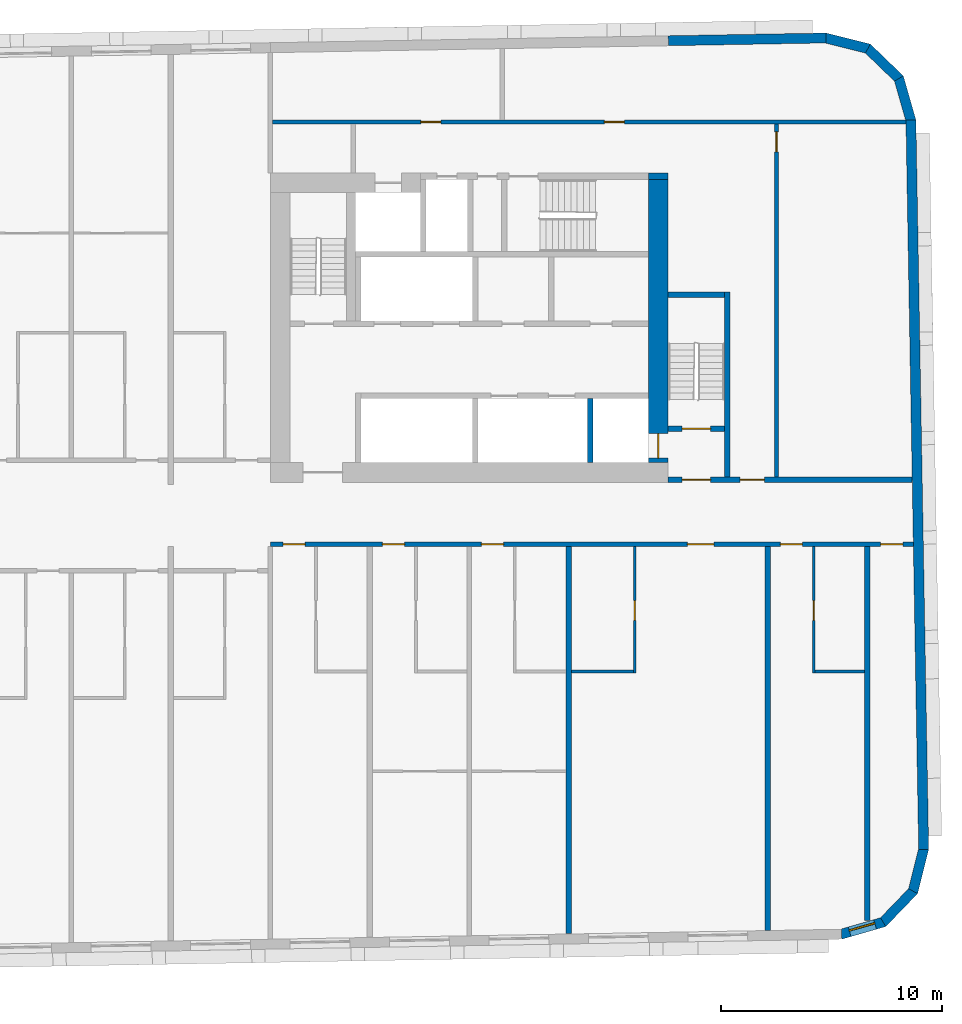
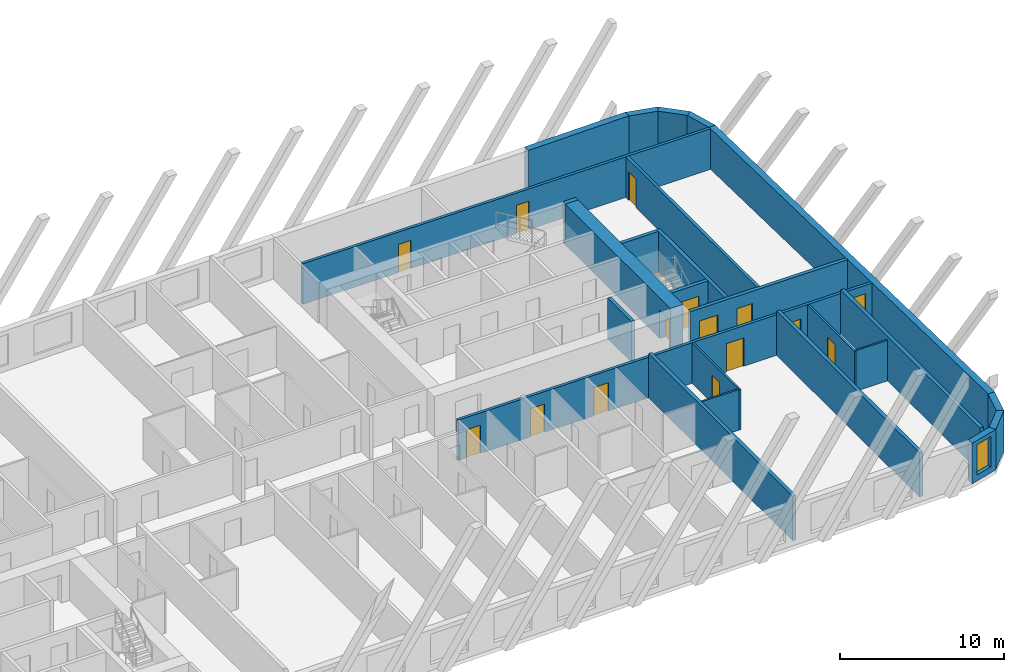
# One storey, part 7 of 12: 25 walls, 15 doors, 1 window, 16 openings.
"""IFC4 building model written with IfcOpenShell, lengths in metres."""

import ifcopenshell
import ifcopenshell.guid

model = None  # the IFC model being written
_history = None  # IfcOwnerHistory: only IFC2X3 demands one
_inside = {}  # id of a spatial element -> (the spatial element, [elements in it])
_under = {}  # id of a project, library or spatial element -> (it, [spatial elements below it])
_declared = {}  # id of a project -> (the project, [libraries it declares])
_typed = {}  # id of a type object -> (the type object, [elements of that type])
_made_of = {}  # id of a material, layer set ... -> (it, [elements and type objects made of it])


def new_model(schema):
    """Start an empty IFC model of exactly this schema.

    Asked for "IFC4X3", IfcOpenShell would pick the latest addendum, in which some entities
    have other attributes; the version numbers below select the first issue.
    IFC2X3 requires an IfcOwnerHistory on every rooted entity: one is made here for all.
    """
    global model, _history
    if schema == "IFC4X3":
        model = ifcopenshell.file(schema_version=(4, 3, 0, 0))
    else:
        model = ifcopenshell.file(schema=schema)
    _inside.clear()
    _under.clear()
    _declared.clear()
    _typed.clear()
    _made_of.clear()
    _history = None
    if model.schema == "IFC2X3":
        org = make("IfcOrganization", Name="unknown")
        user = make(
            "IfcPersonAndOrganization",
            ThePerson=make("IfcPerson", FamilyName="unknown"),
            TheOrganization=org,
        )
        app = make(
            "IfcApplication",
            ApplicationDeveloper=org,
            Version="unknown",
            ApplicationFullName="unknown",
            ApplicationIdentifier="unknown",
        )
        _history = make(
            "IfcOwnerHistory",
            OwningUser=user,
            OwningApplication=app,
            ChangeAction="ADDED",
            CreationDate=0,
        )
    return model


def make(cls, **values):
    """One entity of the class cls with the attributes given. An attribute that is None is left unset."""
    return model.create_entity(
        cls, **{name: value for name, value in values.items() if value is not None}
    )


def rooted(cls, **values):
    """An entity with a GlobalId (a new one), such as an element, a storey or a relation."""
    return make(cls, GlobalId=ifcopenshell.guid.new(), OwnerHistory=_history, **values)


def si_unit(unit_type, name, prefix=None):
    """IfcSIUnit, for example si_unit("LENGTHUNIT", "METRE", prefix="MILLI")."""
    return make("IfcSIUnit", UnitType=unit_type, Prefix=prefix, Name=name)


def assignment(units):
    """IfcUnitAssignment: the units of a project."""
    return None if units is None else make("IfcUnitAssignment", Units=units)


def point(xyz):
    """IfcCartesianPoint."""
    return None if xyz is None else make("IfcCartesianPoint", Coordinates=xyz)


def direction(xyz):
    """IfcDirection."""
    return None if xyz is None else make("IfcDirection", DirectionRatios=xyz)


def frame(location, z_axis=None, x_axis=None):
    """IfcAxis2Placement3D, a coordinate frame: its origin and axes. An axis left out is left unset."""
    return make(
        "IfcAxis2Placement3D",
        Location=point(location),
        Axis=direction(z_axis),
        RefDirection=direction(x_axis),
    )


def frame_2d(location, x_axis=None):
    """IfcAxis2Placement2D, a coordinate frame in the plane: its origin and x axis."""
    return make(
        "IfcAxis2Placement2D", Location=point(location), RefDirection=direction(x_axis)
    )


def origin():
    """The frame at (0, 0, 0) with its axes left unset."""
    return frame((0.0, 0.0, 0.0))


def place(relative_to, where):
    """IfcLocalPlacement: puts the frame where relative to a parent placement (None: the world)."""
    return make(
        "IfcLocalPlacement", PlacementRelTo=relative_to, RelativePlacement=where
    )


def context(
    kind, dimensions, precision=None, world=None, true_north=None, identifier=None
):
    """IfcGeometricRepresentationContext, for example the 3D "Model" context."""
    return make(
        "IfcGeometricRepresentationContext",
        ContextIdentifier=identifier,
        ContextType=kind,
        CoordinateSpaceDimension=dimensions,
        Precision=precision,
        WorldCoordinateSystem=world,
        TrueNorth=true_north,
    )


def subcontext(parent, identifier, kind, view, scale=None):
    """IfcGeometricRepresentationSubContext, for example "Body" below "Model"."""
    return make(
        "IfcGeometricRepresentationSubContext",
        ContextIdentifier=identifier,
        ContextType=kind,
        ParentContext=parent,
        TargetScale=scale,
        TargetView=view,
    )


def project(units=None, contexts=None):
    """IfcProject with its units and contexts."""
    return rooted(
        "IfcProject",
        Name="project",
        RepresentationContexts=contexts,
        UnitsInContext=assignment(units),
    )


def spatial(cls, under=None, at=None, **own):
    """A site, building, storey or space (cls), placed at a placement, below another one or the project."""
    s = rooted(cls, ObjectPlacement=at, **own)
    if under is not None:
        _under.setdefault(under.id(), (under, []))[1].append(s)
    return s


def polyline(points):
    """IfcPolyline through the points."""
    return make("IfcPolyline", Points=[point(p) for p in points])


def profile(cls, at=None, kind="AREA", **sizes):
    """A parametric profile (cls). Its sizes go by their IFC names, for example OverallWidth=200.0."""
    return make(cls, ProfileType=kind, Position=at, **sizes)


def rectangle(**sizes):
    """IfcRectangleProfileDef."""
    return profile("IfcRectangleProfileDef", **sizes)


def outline(outer, holes=None, kind="AREA"):
    """IfcArbitraryClosedProfileDef: a profile drawn as a closed curve; with holes, ...WithVoids."""
    if holes is None:
        return make("IfcArbitraryClosedProfileDef", ProfileType=kind, OuterCurve=outer)
    return make(
        "IfcArbitraryProfileDefWithVoids",
        ProfileType=kind,
        OuterCurve=outer,
        InnerCurves=holes,
    )


def extrude(swept, where, along, depth):
    """IfcExtrudedAreaSolid: the profile swept, set in the frame where, extruded along a direction by depth."""
    return make(
        "IfcExtrudedAreaSolid",
        SweptArea=swept,
        Position=where,
        ExtrudedDirection=direction(along),
        Depth=depth,
    )


def shape(context_of_items, identifier, shape_type, items):
    """IfcShapeRepresentation: the items that make up one representation, for example the "Body"."""
    return make(
        "IfcShapeRepresentation",
        ContextOfItems=context_of_items,
        RepresentationIdentifier=identifier,
        RepresentationType=shape_type,
        Items=items,
    )


def material(Name=None, Category=None):
    """IfcMaterial."""
    return make("IfcMaterial", Name=Name, Category=Category)


def layer(
    of_material, thickness, ventilated=None, Name=None, Category=None, Priority=None
):
    """IfcMaterialLayer: one layer of a wall or slab, of a material (None: an air gap)."""
    return make(
        "IfcMaterialLayer",
        Material=of_material,
        LayerThickness=thickness,
        IsVentilated=ventilated,
        Name=Name,
        Category=Category,
        Priority=Priority,
    )


def layer_set(layers, Name=None):
    """IfcMaterialLayerSet."""
    return make("IfcMaterialLayerSet", MaterialLayers=layers, LayerSetName=Name)


def made_of(thing, what):
    """Note that an element or type object is made of a material, layer set ...; save() writes the relation."""
    if what is not None:
        _made_of.setdefault(what.id(), (what, []))[1].append(thing)
    return thing


def type_object(cls, material=None, **own):
    """A type object (cls), such as IfcWallType, which elements share."""
    return made_of(rooted(cls, **own), material)


def element(
    cls,
    number,
    at=None,
    inside=None,
    cuts=None,
    type_object=None,
    material=None,
    context=None,
    identifier="Body",
    shape_type=None,
    held_by="IfcProductDefinitionShape",
    body=None,
    shapes=None,
    **own,
):
    """One element of the class cls, such as IfcWall. Its Tag is "e" and its number.

    at: its placement. inside: the storey or other place that contains it. cuts: it is an
    opening in that element (IfcRelVoidsElement). A single representation is given by context,
    identifier, shape_type and body (its items); several are given by shapes. held_by: the class
    of the entity that holds the representations. save() writes the other relations.
    """
    e = rooted(cls, Tag="e%d" % number, ObjectPlacement=at, **own)
    if body is not None:
        shapes = [shape(context, identifier, shape_type, body)]
    if shapes is not None:
        e.Representation = make(held_by, Representations=shapes)
    if inside is not None:
        _inside.setdefault(inside.id(), (inside, []))[1].append(e)
    if cuts is not None:
        rooted(
            "IfcRelVoidsElement", RelatingBuildingElement=cuts, RelatedOpeningElement=e
        )
    if type_object is not None:
        _typed.setdefault(type_object.id(), (type_object, []))[1].append(e)
    return made_of(e, material)


def fill(opening, filler):
    """IfcRelFillsElement: the door or window that sits in an opening."""
    return rooted(
        "IfcRelFillsElement",
        RelatingOpeningElement=opening,
        RelatedBuildingElement=filler,
    )


def aggregate(whole, parts):
    """IfcRelAggregates: a whole, such as a stair, and the parts it consists of."""
    return rooted("IfcRelAggregates", RelatingObject=whole, RelatedObjects=parts)


def save(model, path):
    """Write the relations noted so far, then the file.

    IfcRelAggregates (storeys below a building ...), IfcRelContainedInSpatialStructure (elements
    in a storey), IfcRelDefinesByType, IfcRelAssociatesMaterial and IfcRelDeclares: one each for
    every whole, place, type object, material and project.
    """
    for whole, parts in _under.values():
        aggregate(whole, parts)
    for where, things in _inside.values():
        rooted(
            "IfcRelContainedInSpatialStructure",
            RelatedElements=things,
            RelatingStructure=where,
        )
    for kind, things in _typed.values():
        rooted("IfcRelDefinesByType", RelatedObjects=things, RelatingType=kind)
    for what, things in _made_of.values():
        rooted("IfcRelAssociatesMaterial", RelatedObjects=things, RelatingMaterial=what)
    for by, libraries in _declared.values():
        rooted("IfcRelDeclares", RelatingContext=by, RelatedDefinitions=libraries)
    model.write(path)


model = new_model("IFC4")

# Units and contexts
model_context = context("Model", 3, precision=1e-05, world=origin(), true_north=direction((0.0, 1.0)))
body_context = subcontext(model_context, "Body", "Model", "MODEL_VIEW")
ifc_project = project(units=[si_unit("LENGTHUNIT", "METRE"), si_unit("AREAUNIT", "SQUARE_METRE"), si_unit("VOLUMEUNIT", "CUBIC_METRE"), si_unit("PLANEANGLEUNIT", "RADIAN"), si_unit("MASSUNIT", "GRAM", prefix="KILO")], contexts=[model_context])

# Site, building, storey
site_placement = place(None, origin())
site = spatial("IfcSite", under=ifc_project, at=site_placement, CompositionType="ELEMENT")
building_placement = place(site_placement, origin())
building = spatial("IfcBuilding", under=site, at=building_placement, Name="Kajstack Hotel Tower", CompositionType="ELEMENT")
storey_placement = place(building_placement, frame((0.0, 0.0, 227.60009765625)))
storey = spatial("IfcBuildingStorey", under=building, at=storey_placement, Name="L55", CompositionType="ELEMENT", Elevation=227.60009765625)

# Wall
ifc_material_1 = material(Name="Concrete C60/75", Category="concrete")
ifc_layer_1 = layer(ifc_material_1, 0.89990234375)
ifc_layer_set_1 = layer_set([ifc_layer_1], Name="Core wall 900")
wall_type_1 = type_object("IfcWallType", Name="Core wall 900", PredefinedType="SHEAR", material=ifc_layer_set_1)
wall_1_placement = place(storey_placement, frame((30.60009765625, 15.35009765625, 0.0), z_axis=(0.0, 0.0, 1.0), x_axis=(1.0, 0.0, 0.0)))
element("IfcWall", 1, at=wall_1_placement, inside=storey, type_object=wall_type_1, Name="Core wall E RSW", PredefinedType="SHEAR", context=body_context, shape_type="SweptSolid", body=[
    extrude(rectangle(XDim=0.89990234375, YDim=0.300048828125, at=frame_2d((0.449951171875, 0.0))), origin(), (0.0, 0.0, 1.0), 3.02001953125),
])

# Wall, opening, door
wall_2_placement = place(storey_placement, frame((31.050048828125, 2.39990234375, 0.0), z_axis=(0.0, 0.0, 1.0), x_axis=(0.0, 1.0, 0.0)))
wall_2 = element("IfcWall", 2, at=wall_2_placement, inside=storey, type_object=wall_type_1, Name="Core wall E RW", PredefinedType="SHEAR", context=body_context, shape_type="SweptSolid", body=[
    extrude(rectangle(XDim=12.800048828125, YDim=0.89990234375, at=frame_2d((6.39990234375, 0.0))), origin(), (0.0, 0.0, 1.0), 3.02001953125),
])
opening_1_placement = place(wall_2_placement, frame((0.199951171875, 0.0, 0.0)))
opening_1 = element("IfcOpeningElement", 3, at=opening_1_placement, cuts=wall_2, Name="Opening LD-FF2", PredefinedType="OPENING", context=body_context, shape_type="SweptSolid", body=[
    extrude(rectangle(XDim=1.10009765625, YDim=2.10009765625, at=frame_2d((0.550048828125, 1.050048828125))), frame((0.0, 0.4599609375, 0.0), z_axis=(0.0, -1.0, 0.0), x_axis=(1.0, 0.0, 0.0)), (0.0, 0.0, 1.0), 0.919921875),
])
ifc_material_2 = material(Name="Stainless steel", Category="steel")
door_type_1 = type_object("IfcDoorType", Name="Fire-fighting lift landing door 1100", OperationType="SLIDING_TO_LEFT", PredefinedType="DOOR", material=ifc_material_2)
door_1_placement = place(opening_1_placement, origin())
door_1 = element("IfcDoor", 4, at=door_1_placement, inside=storey, type_object=door_type_1, Name="Landing door FF2", OperationType="SLIDING_TO_LEFT", OverallHeight=2.10009765625, OverallWidth=1.10009765625, PredefinedType="DOOR", context=body_context, shape_type="SweptSolid", body=[
    extrude(rectangle(XDim=1.10009765625, YDim=2.10009765625, at=frame_2d((0.550048828125, 1.050048828125))), frame((0.0, 0.02490234375, 0.0), z_axis=(0.0, -1.0, 0.0), x_axis=(1.0, 0.0, 0.0)), (0.0, 0.0, 1.0), 0.050048828125),
])
fill(opening_1, door_1)

# Wall, openings, doors
ifc_material_3 = material(Name="Gypsum board on steel studs, mineral wool", Category="steel")
ifc_layer_2 = layer(ifc_material_3, 0.199951171875)
ifc_layer_set_2 = layer_set([ifc_layer_2], Name="Corridor wall 200")
wall_type_2 = type_object("IfcWallType", Name="Corridor wall 200", PredefinedType="PARTITIONING", material=ifc_layer_set_2)
wall_3_placement = place(storey_placement, frame((13.5, -1.300048828125, 0.0), z_axis=(0.0, 0.0, 1.0), x_axis=(1.0, 0.0, 0.0)))
wall_3 = element("IfcWall", 5, at=wall_3_placement, inside=storey, type_object=wall_type_2, Name="G-wall-L55-026", PredefinedType="PARTITIONING", context=body_context, shape_type="SweptSolid", body=[
    extrude(rectangle(XDim=29.091064453125, YDim=0.199951171875, at=frame_2d((14.54541015625, 0.0))), origin(), (0.0, 0.0, 1.0), 3.02001953125),
])
opening_2_placement = place(wall_3_placement, frame((0.574951171875, 0.0, 0.0)))
opening_2 = element("IfcOpeningElement", 6, at=opening_2_placement, cuts=wall_3, Name="Opening 55029", PredefinedType="OPENING", context=body_context, shape_type="SweptSolid", body=[
    extrude(rectangle(XDim=1.0, YDim=2.10009765625, at=frame_2d((0.5, 1.050048828125))), frame((0.0, 0.10986328125, 0.0), z_axis=(0.0, -1.0, 0.0), x_axis=(1.0, 0.0, 0.0)), (0.0, 0.0, 1.0), 0.219970703125),
])
opening_3_placement = place(wall_3_placement, frame((5.074951171875, 0.0, 0.0)))
opening_3 = element("IfcOpeningElement", 7, at=opening_3_placement, cuts=wall_3, Name="Opening 55031", PredefinedType="OPENING", context=body_context, shape_type="SweptSolid", body=[
    extrude(rectangle(XDim=1.0, YDim=2.10009765625, at=frame_2d((0.5, 1.050048828125))), frame((0.0, 0.10986328125, 0.0), z_axis=(0.0, -1.0, 0.0), x_axis=(1.0, 0.0, 0.0)), (0.0, 0.0, 1.0), 0.219970703125),
])
opening_4_placement = place(wall_3_placement, frame((9.550048828125, 0.0, 0.0)))
opening_4 = element("IfcOpeningElement", 8, at=opening_4_placement, cuts=wall_3, Name="Opening 55034", PredefinedType="OPENING", context=body_context, shape_type="SweptSolid", body=[
    extrude(rectangle(XDim=1.0, YDim=2.10009765625, at=frame_2d((0.5, 1.050048828125))), frame((0.0, 0.10986328125, 0.0), z_axis=(0.0, -1.0, 0.0), x_axis=(1.0, 0.0, 0.0)), (0.0, 0.0, 1.0), 0.219970703125),
])
opening_5_placement = place(wall_3_placement, frame((18.862060546875, 0.0, 0.0)))
opening_5 = element("IfcOpeningElement", 9, at=opening_5_placement, cuts=wall_3, Name="Opening 55037", PredefinedType="OPENING", context=body_context, shape_type="SweptSolid", body=[
    extrude(rectangle(XDim=1.199951171875, YDim=2.10009765625, at=frame_2d((0.60009765625, 1.050048828125))), frame((0.0, 0.10986328125, 0.0), z_axis=(0.0, -1.0, 0.0), x_axis=(1.0, 0.0, 0.0)), (0.0, 0.0, 1.0), 0.219970703125),
])
opening_6_placement = place(wall_3_placement, frame((23.074951171875, 0.0, 0.0)))
opening_6 = element("IfcOpeningElement", 10, at=opening_6_placement, cuts=wall_3, Name="Opening 55039", PredefinedType="OPENING", context=body_context, shape_type="SweptSolid", body=[
    extrude(rectangle(XDim=1.0, YDim=2.10009765625, at=frame_2d((0.5, 1.050048828125))), frame((0.0, 0.10986328125, 0.0), z_axis=(0.0, -1.0, 0.0), x_axis=(1.0, 0.0, 0.0)), (0.0, 0.0, 1.0), 0.219970703125),
])
opening_7_placement = place(wall_3_placement, frame((27.611083984375, 0.0, 0.0)))
opening_7 = element("IfcOpeningElement", 11, at=opening_7_placement, cuts=wall_3, Name="Opening 55041", PredefinedType="OPENING", context=body_context, shape_type="SweptSolid", body=[
    extrude(rectangle(XDim=1.0, YDim=2.39990234375, at=frame_2d((0.5, 1.199951171875))), frame((0.0, 0.10986328125, 0.0), z_axis=(0.0, -1.0, 0.0), x_axis=(1.0, 0.0, 0.0)), (0.0, 0.0, 1.0), 0.219970703125),
])
ifc_material_4 = material(Name="Oak veneer on timber core, fire-rated leaf", Category="wood")
door_type_2 = type_object("IfcDoorType", Name="Flat entrance door 1000", OperationType="SINGLE_SWING_LEFT", PredefinedType="DOOR", material=ifc_material_4)
door_2_placement = place(opening_2_placement, origin())
door_2 = element("IfcDoor", 12, at=door_2_placement, inside=storey, type_object=door_type_2, Name="G-door-L55-29", OperationType="SINGLE_SWING_LEFT", OverallHeight=2.10009765625, OverallWidth=1.0, PredefinedType="DOOR", context=body_context, shape_type="SweptSolid", body=[
    extrude(rectangle(XDim=1.0, YDim=2.10009765625, at=frame_2d((0.5, 1.050048828125))), frame((0.0, 0.02490234375, 0.0), z_axis=(0.0, -1.0, 0.0), x_axis=(1.0, 0.0, 0.0)), (0.0, 0.0, 1.0), 0.050048828125),
])
fill(opening_2, door_2)
door_3_placement = place(opening_3_placement, origin())
door_3 = element("IfcDoor", 13, at=door_3_placement, inside=storey, type_object=door_type_2, Name="G-door-L55-31", OperationType="SINGLE_SWING_RIGHT", OverallHeight=2.10009765625, OverallWidth=1.0, PredefinedType="DOOR", context=body_context, shape_type="SweptSolid", body=[
    extrude(rectangle(XDim=1.0, YDim=2.10009765625, at=frame_2d((0.5, 1.050048828125))), frame((0.0, 0.02490234375, 0.0), z_axis=(0.0, -1.0, 0.0), x_axis=(1.0, 0.0, 0.0)), (0.0, 0.0, 1.0), 0.050048828125),
])
fill(opening_3, door_3)
door_4_placement = place(opening_4_placement, origin())
door_4 = element("IfcDoor", 14, at=door_4_placement, inside=storey, type_object=door_type_2, Name="G-door-L55-34", OperationType="SINGLE_SWING_RIGHT", OverallHeight=2.10009765625, OverallWidth=1.0, PredefinedType="DOOR", context=body_context, shape_type="SweptSolid", body=[
    extrude(rectangle(XDim=1.0, YDim=2.10009765625, at=frame_2d((0.5, 1.050048828125))), frame((0.0, 0.02490234375, 0.0), z_axis=(0.0, -1.0, 0.0), x_axis=(1.0, 0.0, 0.0)), (0.0, 0.0, 1.0), 0.050048828125),
])
fill(opening_4, door_4)
door_5_placement = place(opening_6_placement, origin())
door_5 = element("IfcDoor", 15, at=door_5_placement, inside=storey, type_object=door_type_2, Name="G-door-L55-39", OperationType="SINGLE_SWING_LEFT", OverallHeight=2.10009765625, OverallWidth=1.0, PredefinedType="DOOR", context=body_context, shape_type="SweptSolid", body=[
    extrude(rectangle(XDim=1.0, YDim=2.10009765625, at=frame_2d((0.5, 1.050048828125))), frame((0.0, 0.02490234375, 0.0), z_axis=(0.0, -1.0, 0.0), x_axis=(1.0, 0.0, 0.0)), (0.0, 0.0, 1.0), 0.050048828125),
])
fill(opening_6, door_5)
door_type_3 = type_object("IfcDoorType", Name="Flat entrance door 1200", OperationType="SINGLE_SWING_LEFT", PredefinedType="DOOR", material=ifc_material_4)
door_6_placement = place(opening_5_placement, origin())
door_6 = element("IfcDoor", 16, at=door_6_placement, inside=storey, type_object=door_type_3, Name="G-door-L55-37", OperationType="SINGLE_SWING_LEFT", OverallHeight=2.10009765625, OverallWidth=1.199951171875, PredefinedType="DOOR", context=body_context, shape_type="SweptSolid", body=[
    extrude(rectangle(XDim=1.199951171875, YDim=2.10009765625, at=frame_2d((0.60009765625, 1.050048828125))), frame((0.0, 0.02490234375, 0.0), z_axis=(0.0, -1.0, 0.0), x_axis=(1.0, 0.0, 0.0)), (0.0, 0.0, 1.0), 0.050048828125),
])
fill(opening_5, door_6)
ifc_material_5 = material(Name="Steel-faced door leaf, fire-rated", Category="steel")
door_type_4 = type_object("IfcDoorType", Name="Store door 1000", OperationType="SINGLE_SWING_LEFT", PredefinedType="DOOR", material=ifc_material_5)
door_7_placement = place(opening_7_placement, origin())
door_7 = element("IfcDoor", 17, at=door_7_placement, inside=storey, type_object=door_type_4, Name="G-door-L55-41", OperationType="SINGLE_SWING_LEFT", OverallHeight=2.39990234375, OverallWidth=1.0, PredefinedType="DOOR", context=body_context, shape_type="SweptSolid", body=[
    extrude(rectangle(XDim=1.0, YDim=2.39990234375, at=frame_2d((0.5, 1.199951171875))), frame((0.0, 0.02490234375, 0.0), z_axis=(0.0, -1.0, 0.0), x_axis=(1.0, 0.0, 0.0)), (0.0, 0.0, 1.0), 0.050048828125),
])
fill(opening_7, door_7)

# Wall, opening, window
ifc_material_6 = material(Name="Terracotta-faced brick masonry", Category="masonry")
ifc_layer_3 = layer(ifc_material_6, 0.449951171875)
ifc_layer_set_3 = layer_set([ifc_layer_3], Name="EW-TERRA")
wall_type_3 = type_object("IfcWallType", Name="EW-TERRA", PredefinedType="SOLIDWALL", material=ifc_layer_set_3)
wall_4_placement = place(storey_placement, frame((39.290283203125, -18.952392578125, 0.0), z_axis=(0.0, 0.0, 1.0), x_axis=(0.961247584925, 0.275686562016, 0.0)))
wall_4 = element("IfcWall", 18, at=wall_4_placement, inside=storey, type_object=wall_type_3, Name="E-wall-L55-05-00", PredefinedType="SOLIDWALL", context=body_context, shape_type="SweptSolid", body=[
    extrude(outline(polyline([(0.0, -0.224853515625), (2.070556640625, -0.22509765625), (1.949951171875, 0.224853515625), (0.12060546875, 0.22509765625), (0.0, -0.224853515625)])), origin(), (0.0, 0.0, 1.0), 3.02001953125),
])
opening_8_placement = place(wall_4_placement, frame((0.435302734375, 0.0, 0.449951171875)))
opening_8 = element("IfcOpeningElement", 19, at=opening_8_placement, cuts=wall_4, Name="Opening W3", PredefinedType="OPENING", context=body_context, shape_type="SweptSolid", body=[
    extrude(rectangle(XDim=1.199951171875, YDim=2.25, at=frame_2d((0.60009765625, 1.125))), frame((0.0, 0.23486328125, 0.0), z_axis=(0.0, -1.0, 0.0), x_axis=(1.0, 0.0, 0.0)), (0.0, 0.0, 1.0), 0.469970703125),
])
ifc_material_7 = material(Name="Timber-aluminium window, triple glazed", Category="wood")
window_type = type_object("IfcWindowType", Name="WG3", PartitioningType="SINGLE_PANEL", PredefinedType="WINDOW", material=ifc_material_7)
window_placement = place(opening_8_placement, origin())
window = element("IfcWindow", 20, at=window_placement, inside=storey, type_object=window_type, Name="Window W3 L55-05", OverallHeight=2.25, OverallWidth=1.199951171875, PartitioningType="SINGLE_PANEL", PredefinedType="WINDOW", context=body_context, shape_type="SweptSolid", body=[
    extrude(rectangle(XDim=1.199951171875, YDim=2.25, at=frame_2d((0.60009765625, 1.125))), frame((0.0, 0.090087890625, 0.0), z_axis=(0.0, -1.0, 0.0), x_axis=(1.0, 0.0, 0.0)), (0.0, 0.0, 1.0), 0.06005859375),
])
fill(opening_8, window)

# Walls
wall_5_placement = place(storey_placement, frame((41.1806640625, -18.441650390625, 0.0), z_axis=(0.0, 0.0, 1.0), x_axis=(0.694678672846, 0.719320193998, 0.0)))
element("IfcWall", 21, at=wall_5_placement, inside=storey, type_object=wall_type_3, Name="E-wall-L55-06-00", PredefinedType="SOLIDWALL", context=body_context, shape_type="SweptSolid", body=[
    extrude(outline(polyline([(0.0, -0.22509765625), (2.07080078125, -0.224853515625), (1.9501953125, 0.22509765625), (0.12060546875, 0.22509765625), (0.0, -0.22509765625)])), origin(), (0.0, 0.0, 1.0), 3.02001953125),
])
wall_6_placement = place(storey_placement, frame((42.562744140625, -17.053955078125, 0.0), z_axis=(0.0, 0.0, 1.0), x_axis=(0.241841950319, 0.970315655375, 0.0)))
element("IfcWall", 22, at=wall_6_placement, inside=storey, type_object=wall_type_3, Name="E-wall-L55-07-00", PredefinedType="SOLIDWALL", context=body_context, shape_type="SweptSolid", body=[
    extrude(outline(polyline([(0.0, -0.224853515625), (2.070556640625, -0.22509765625), (1.949951171875, 0.224853515625), (0.12060546875, 0.22509765625), (0.0, -0.224853515625)])), origin(), (0.0, 0.0, 1.0), 3.02001953125),
])
wall_7_placement = place(storey_placement, frame((43.056884765625, -15.103271484375, 0.0), z_axis=(0.0, 0.0, 1.0), x_axis=(-0.017452408953, 0.999847695112, 0.0)))
element("IfcWall", 23, at=wall_7_placement, inside=storey, type_object=wall_type_3, Name="E-wall-L55-08-00", PredefinedType="SOLIDWALL", context=body_context, shape_type="SweptSolid", body=[
    extrude(rectangle(XDim=33.0, YDim=0.449951171875, at=frame_2d((16.5, 0.0))), origin(), (0.0, 0.0, 1.0), 3.02001953125),
])
wall_8_placement = place(storey_placement, frame((42.489501953125, 17.83349609375, 0.0), z_axis=(0.0, 0.0, 1.0), x_axis=(-0.275546368831, 0.961287781377, 0.0)))
element("IfcWall", 24, at=wall_8_placement, inside=storey, type_object=wall_type_3, Name="E-wall-L55-09-00", PredefinedType="SOLIDWALL", context=body_context, shape_type="SweptSolid", body=[
    extrude(outline(polyline([(0.0, -0.22509765625), (2.070556640625, -0.224853515625), (1.949951171875, 0.22509765625), (0.12060546875, 0.224853515625), (0.0, -0.22509765625)])), origin(), (0.0, 0.0, 1.0), 3.02001953125),
])
wall_9_placement = place(storey_placement, frame((41.97900390625, 19.72412109375, 0.0), z_axis=(0.0, 0.0, 1.0), x_axis=(-0.719379111448, 0.694617660308, 0.0)))
element("IfcWall", 25, at=wall_9_placement, inside=storey, type_object=wall_type_3, Name="E-wall-L55-10-00", PredefinedType="SOLIDWALL", context=body_context, shape_type="SweptSolid", body=[
    extrude(outline(polyline([(0.0, -0.224853515625), (2.070556640625, -0.22509765625), (1.949951171875, 0.224853515625), (0.12060546875, 0.22509765625), (0.0, -0.224853515625)])), origin(), (0.0, 0.0, 1.0), 3.02001953125),
])
wall_10_placement = place(storey_placement, frame((40.59130859375, 21.10595703125, 0.0), z_axis=(0.0, 0.0, 1.0), x_axis=(-0.970287979719, 0.241952963225, 0.0)))
element("IfcWall", 26, at=wall_10_placement, inside=storey, type_object=wall_type_3, Name="E-wall-L55-11-00", PredefinedType="SOLIDWALL", context=body_context, shape_type="SweptSolid", body=[
    extrude(outline(polyline([(0.0, -0.22509765625), (2.070556640625, -0.224853515625), (1.949951171875, 0.22509765625), (0.12060546875, 0.224853515625), (0.0, -0.22509765625)])), origin(), (0.0, 0.0, 1.0), 3.02001953125),
])
wall_11_placement = place(storey_placement, frame((38.640625, 21.600341796875, 0.0), z_axis=(0.0, 0.0, 1.0), x_axis=(-0.999847245074, -0.017478172627, 0.0)))
element("IfcWall", 27, at=wall_11_placement, inside=storey, type_object=wall_type_3, Name="E-wall-L55-12-00", PredefinedType="SOLIDWALL", context=body_context, shape_type="SweptSolid", body=[
    extrude(rectangle(XDim=7.1376953125, YDim=0.449951171875, at=frame_2d((3.56884765625, 0.0))), origin(), (0.0, 0.0, 1.0), 3.02001953125),
])

# Wall, opening, door
ifc_material_8 = material(Name="Gypsum board and tiled backer on steel studs", Category="steel")
ifc_layer_4 = layer(ifc_material_8, 0.125)
ifc_layer_set_4 = layer_set([ifc_layer_4], Name="En-suite wall 125")
wall_type_4 = type_object("IfcWallType", Name="En-suite wall 125", PredefinedType="PARTITIONING", material=ifc_layer_set_4)
wall_12_placement = place(storey_placement, frame((29.988037109375, -7.125, 0.0), z_axis=(0.0, 0.0, 1.0), x_axis=(0.0, 1.0, 0.0)))
wall_12 = element("IfcWall", 28, at=wall_12_placement, inside=storey, type_object=wall_type_4, Name="G-wall-L55-048", PredefinedType="PARTITIONING", context=body_context, shape_type="SweptSolid", body=[
    extrude(rectangle(XDim=5.72509765625, YDim=0.125, at=frame_2d((2.862548828125, 0.0))), origin(), (0.0, 0.0, 1.0), 3.02001953125),
])
opening_9_placement = place(wall_12_placement, frame((2.375, 0.0, 0.0)))
opening_9 = element("IfcOpeningElement", 29, at=opening_9_placement, cuts=wall_12, Name="Opening 55038", PredefinedType="OPENING", context=body_context, shape_type="SweptSolid", body=[
    extrude(rectangle(XDim=0.89990234375, YDim=2.10009765625, at=frame_2d((0.449951171875, 1.050048828125))), frame((0.0, 0.072509765625, 0.0), z_axis=(0.0, -1.0, 0.0), x_axis=(1.0, 0.0, 0.0)), (0.0, 0.0, 1.0), 0.14501953125),
])
ifc_material_9 = material(Name="Painted timber door leaf", Category="wood")
door_type_5 = type_object("IfcDoorType", Name="Room door 900", OperationType="SINGLE_SWING_LEFT", PredefinedType="DOOR", material=ifc_material_9)
door_8_placement = place(opening_9_placement, origin())
door_8 = element("IfcDoor", 30, at=door_8_placement, inside=storey, type_object=door_type_5, Name="G-door-L55-38", OperationType="SINGLE_SWING_LEFT", OverallHeight=2.10009765625, OverallWidth=0.89990234375, PredefinedType="DOOR", context=body_context, shape_type="SweptSolid", body=[
    extrude(rectangle(XDim=0.89990234375, YDim=2.10009765625, at=frame_2d((0.449951171875, 1.050048828125))), frame((0.0, 0.02490234375, 0.0), z_axis=(0.0, -1.0, 0.0), x_axis=(1.0, 0.0, 0.0)), (0.0, 0.0, 1.0), 0.050048828125),
])
fill(opening_9, door_8)

# Wall
wall_13_placement = place(storey_placement, frame((27.125, -7.06201171875, 0.0), z_axis=(0.0, 0.0, 1.0), x_axis=(1.0, 0.0, 0.0)))
element("IfcWall", 31, at=wall_13_placement, inside=storey, type_object=wall_type_4, Name="G-wall-L55-049", PredefinedType="PARTITIONING", context=body_context, shape_type="SweptSolid", body=[
    extrude(rectangle(XDim=2.800048828125, YDim=0.125, at=frame_2d((1.39990234375, 0.0))), origin(), (0.0, 0.0, 1.0), 3.02001953125),
])

# Wall, opening, door
wall_14_placement = place(storey_placement, frame((38.0869140625, -7.125, 0.0), z_axis=(0.0, 0.0, 1.0), x_axis=(0.0, 1.0, 0.0)))
wall_14 = element("IfcWall", 32, at=wall_14_placement, inside=storey, type_object=wall_type_4, Name="G-wall-L55-050", PredefinedType="PARTITIONING", context=body_context, shape_type="SweptSolid", body=[
    extrude(rectangle(XDim=5.72509765625, YDim=0.125, at=frame_2d((2.862548828125, 0.0))), origin(), (0.0, 0.0, 1.0), 3.02001953125),
])
opening_10_placement = place(wall_14_placement, frame((2.375, 0.0, 0.0)))
opening_10 = element("IfcOpeningElement", 33, at=opening_10_placement, cuts=wall_14, Name="Opening 55040", PredefinedType="OPENING", context=body_context, shape_type="SweptSolid", body=[
    extrude(rectangle(XDim=0.89990234375, YDim=2.10009765625, at=frame_2d((0.449951171875, 1.050048828125))), frame((0.0, 0.072509765625, 0.0), z_axis=(0.0, -1.0, 0.0), x_axis=(1.0, 0.0, 0.0)), (0.0, 0.0, 1.0), 0.14501953125),
])
door_9_placement = place(opening_10_placement, origin())
door_9 = element("IfcDoor", 34, at=door_9_placement, inside=storey, type_object=door_type_5, Name="G-door-L55-40", OperationType="SINGLE_SWING_LEFT", OverallHeight=2.10009765625, OverallWidth=0.89990234375, PredefinedType="DOOR", context=body_context, shape_type="SweptSolid", body=[
    extrude(rectangle(XDim=0.89990234375, YDim=2.10009765625, at=frame_2d((0.449951171875, 1.050048828125))), frame((0.0, 0.02490234375, 0.0), z_axis=(0.0, -1.0, 0.0), x_axis=(1.0, 0.0, 0.0)), (0.0, 0.0, 1.0), 0.050048828125),
])
fill(opening_10, door_9)

# Walls
wall_15_placement = place(storey_placement, frame((38.14990234375, -7.06201171875, 0.0), z_axis=(0.0, 0.0, 1.0), x_axis=(1.0, 0.0, 0.0)))
element("IfcWall", 35, at=wall_15_placement, inside=storey, type_object=wall_type_4, Name="G-wall-L55-051", PredefinedType="PARTITIONING", context=body_context, shape_type="SweptSolid", body=[
    extrude(rectangle(XDim=2.22509765625, YDim=0.125, at=frame_2d((1.112548828125, 0.0))), origin(), (0.0, 0.0, 1.0), 3.02001953125),
])
ifc_material_10 = material(Name="Concrete C45/55", Category="concrete")
ifc_layer_5 = layer(ifc_material_10, 0.25)
ifc_layer_set_5 = layer_set([ifc_layer_5], Name="RC cross wall 250 C45/55")
wall_type_5 = type_object("IfcWallType", Name="RC cross wall 250 C45/55", PredefinedType="SHEAR", material=ifc_layer_set_5)
wall_16_placement = place(storey_placement, frame((27.0, -18.922119140625, 0.0), z_axis=(0.0, 0.0, 1.0), x_axis=(0.0, 1.0, 0.0)))
element("IfcWall", 36, at=wall_16_placement, inside=storey, type_object=wall_type_5, Name="S-wall-L55-11", PredefinedType="SHEAR", context=body_context, shape_type="SweptSolid", body=[
    extrude(rectangle(XDim=17.522216796875, YDim=0.25, at=frame_2d((8.76123046875, 0.0))), origin(), (0.0, 0.0, 1.0), 3.2998046875),
])
wall_17_placement = place(storey_placement, frame((36.0, -18.764892578125, 0.0), z_axis=(0.0, 0.0, 1.0), x_axis=(0.0, 1.0, 0.0)))
element("IfcWall", 37, at=wall_17_placement, inside=storey, type_object=wall_type_5, Name="S-wall-L55-12", PredefinedType="SHEAR", context=body_context, shape_type="SweptSolid", body=[
    extrude(rectangle(XDim=17.364990234375, YDim=0.25, at=frame_2d((8.6826171875, 0.0))), origin(), (0.0, 0.0, 1.0), 3.2998046875),
])
wall_18_placement = place(storey_placement, frame((40.5, -18.3251953125, 0.0), z_axis=(0.0, 0.0, 1.0), x_axis=(0.0, 1.0, 0.0)))
element("IfcWall", 38, at=wall_18_placement, inside=storey, type_object=wall_type_5, Name="S-wall-L55-13", PredefinedType="SHEAR", context=body_context, shape_type="SweptSolid", body=[
    extrude(rectangle(XDim=16.92529296875, YDim=0.25, at=frame_2d((8.462646484375, 0.0))), origin(), (0.0, 0.0, 1.0), 3.2998046875),
])

# Wall, openings, doors
ifc_layer_6 = layer(ifc_material_3, 0.199951171875)
ifc_layer_set_6 = layer_set([ifc_layer_6], Name="Service partition 200")
wall_type_6 = type_object("IfcWallType", Name="Service partition 200", PredefinedType="PARTITIONING", material=ifc_layer_set_6)
wall_19_placement = place(storey_placement, frame((31.5, 1.625, 0.0), z_axis=(0.0, 0.0, 1.0), x_axis=(1.0, 0.0, 0.0)))
wall_19 = element("IfcWall", 39, at=wall_19_placement, inside=storey, type_object=wall_type_6, Name="Partition E SN", PredefinedType="PARTITIONING", context=body_context, shape_type="SweptSolid", body=[
    extrude(rectangle(XDim=11.039794921875, YDim=0.25, at=frame_2d((5.52001953125, 0.0))), origin(), (0.0, 0.0, 1.0), 3.02001953125),
])
opening_11_placement = place(wall_19_placement, frame((0.625, 0.0, 0.0)))
opening_11 = element("IfcOpeningElement", 40, at=opening_11_placement, cuts=wall_19, Name="Opening 55E08", PredefinedType="OPENING", context=body_context, shape_type="SweptSolid", body=[
    extrude(rectangle(XDim=1.300048828125, YDim=2.10009765625, at=frame_2d((0.64990234375, 1.050048828125))), frame((0.0, 0.135009765625, 0.0), z_axis=(0.0, -1.0, 0.0), x_axis=(1.0, 0.0, 0.0)), (0.0, 0.0, 1.0), 0.27001953125),
])
opening_12_placement = place(wall_19_placement, frame((3.25, 0.0, 0.0)))
opening_12 = element("IfcOpeningElement", 41, at=opening_12_placement, cuts=wall_19, Name="Opening 55E10", PredefinedType="OPENING", context=body_context, shape_type="SweptSolid", body=[
    extrude(rectangle(XDim=1.10009765625, YDim=2.10009765625, at=frame_2d((0.550048828125, 1.050048828125))), frame((0.0, 0.135009765625, 0.0), z_axis=(0.0, -1.0, 0.0), x_axis=(1.0, 0.0, 0.0)), (0.0, 0.0, 1.0), 0.27001953125),
])
ifc_material_11 = material(Name="Steel leaf, fire-rated", Category="steel")
door_type_6 = type_object("IfcDoorType", Name="Fire lobby door 1300", OperationType="SINGLE_SWING_LEFT", PredefinedType="DOOR", material=ifc_material_11)
door_10_placement = place(opening_11_placement, origin())
door_10 = element("IfcDoor", 42, at=door_10_placement, inside=storey, type_object=door_type_6, Name="Door 55E08", OperationType="SINGLE_SWING_LEFT", OverallHeight=2.10009765625, OverallWidth=1.300048828125, PredefinedType="DOOR", context=body_context, shape_type="SweptSolid", body=[
    extrude(rectangle(XDim=1.300048828125, YDim=2.10009765625, at=frame_2d((0.64990234375, 1.050048828125))), frame((0.0, 0.02490234375, 0.0), z_axis=(0.0, -1.0, 0.0), x_axis=(1.0, 0.0, 0.0)), (0.0, 0.0, 1.0), 0.050048828125),
])
fill(opening_11, door_10)
ifc_material_12 = material(Name="Timber leaf, fire-rated", Category="wood")
door_type_7 = type_object("IfcDoorType", Name="Service corridor door 1100", OperationType="SINGLE_SWING_LEFT", PredefinedType="DOOR", material=ifc_material_12)
door_11_placement = place(opening_12_placement, origin())
door_11 = element("IfcDoor", 43, at=door_11_placement, inside=storey, type_object=door_type_7, Name="Door 55E10", OperationType="SINGLE_SWING_LEFT", OverallHeight=2.10009765625, OverallWidth=1.10009765625, PredefinedType="DOOR", context=body_context, shape_type="SweptSolid", body=[
    extrude(rectangle(XDim=1.10009765625, YDim=2.10009765625, at=frame_2d((0.550048828125, 1.050048828125))), frame((0.0, 0.02490234375, 0.0), z_axis=(0.0, -1.0, 0.0), x_axis=(1.0, 0.0, 0.0)), (0.0, 0.0, 1.0), 0.050048828125),
])
fill(opening_12, door_11)

# Wall, opening, door
wall_20_placement = place(storey_placement, frame((36.39990234375, 1.75, 0.0), z_axis=(0.0, 0.0, 1.0), x_axis=(0.0, 1.0, 0.0)))
wall_20 = element("IfcWall", 44, at=wall_20_placement, inside=storey, type_object=wall_type_6, Name="Partition E WRE", PredefinedType="PARTITIONING", context=body_context, shape_type="SweptSolid", body=[
    extrude(rectangle(XDim=15.949951171875, YDim=0.199951171875, at=frame_2d((7.97509765625, 0.0))), origin(), (0.0, 0.0, 1.0), 3.02001953125),
])
opening_13_placement = place(wall_20_placement, frame((14.699951171875, 0.0, 0.0)))
opening_13 = element("IfcOpeningElement", 45, at=opening_13_placement, cuts=wall_20, Name="Opening 55E19", PredefinedType="OPENING", context=body_context, shape_type="SweptSolid", body=[
    extrude(rectangle(XDim=0.89990234375, YDim=2.10009765625, at=frame_2d((0.449951171875, 1.050048828125))), frame((0.0, 0.10986328125, 0.0), z_axis=(0.0, -1.0, 0.0), x_axis=(1.0, 0.0, 0.0)), (0.0, 0.0, 1.0), 0.219970703125),
])
door_type_8 = type_object("IfcDoorType", Name="Service door 900", OperationType="SINGLE_SWING_LEFT", PredefinedType="DOOR", material=ifc_material_12)
door_12_placement = place(opening_13_placement, origin())
door_12 = element("IfcDoor", 46, at=door_12_placement, inside=storey, type_object=door_type_8, Name="Door 55E19", OperationType="SINGLE_SWING_RIGHT", OverallHeight=2.10009765625, OverallWidth=0.89990234375, PredefinedType="DOOR", context=body_context, shape_type="SweptSolid", body=[
    extrude(rectangle(XDim=0.89990234375, YDim=2.10009765625, at=frame_2d((0.449951171875, 1.050048828125))), frame((0.0, 0.02490234375, 0.0), z_axis=(0.0, -1.0, 0.0), x_axis=(1.0, 0.0, 0.0)), (0.0, 0.0, 1.0), 0.050048828125),
])
fill(opening_13, door_12)

# Wall, openings, doors
wall_21_placement = place(storey_placement, frame((13.60009765625, 17.800048828125, 0.0), z_axis=(0.0, 0.0, 1.0), x_axis=(1.0, 0.0, 0.0)))
wall_21 = element("IfcWall", 47, at=wall_21_placement, inside=storey, type_object=wall_type_6, Name="Partition E SLN", PredefinedType="PARTITIONING", context=body_context, shape_type="SweptSolid", body=[
    extrude(rectangle(XDim=28.657470703125, YDim=0.199951171875, at=frame_2d((14.32861328125, 0.0))), origin(), (0.0, 0.0, 1.0), 3.02001953125),
])
opening_14_placement = place(wall_21_placement, frame((15.012451171875, 0.0, 0.0)))
opening_14 = element("IfcOpeningElement", 48, at=opening_14_placement, cuts=wall_21, Name="Opening 55E17", PredefinedType="OPENING", context=body_context, shape_type="SweptSolid", body=[
    extrude(rectangle(XDim=0.89990234375, YDim=2.10009765625, at=frame_2d((0.449951171875, 1.050048828125))), frame((0.0, 0.10986328125, 0.0), z_axis=(0.0, -1.0, 0.0), x_axis=(1.0, 0.0, 0.0)), (0.0, 0.0, 1.0), 0.219970703125),
])
opening_15_placement = place(wall_21_placement, frame((6.71240234375, 0.0, 0.0)))
opening_15 = element("IfcOpeningElement", 49, at=opening_15_placement, cuts=wall_21, Name="Opening 55E18", PredefinedType="OPENING", context=body_context, shape_type="SweptSolid", body=[
    extrude(rectangle(XDim=0.89990234375, YDim=2.10009765625, at=frame_2d((0.449951171875, 1.050048828125))), frame((0.0, 0.10986328125, 0.0), z_axis=(0.0, -1.0, 0.0), x_axis=(1.0, 0.0, 0.0)), (0.0, 0.0, 1.0), 0.219970703125),
])
door_13_placement = place(opening_14_placement, origin())
door_13 = element("IfcDoor", 50, at=door_13_placement, inside=storey, type_object=door_type_8, Name="Door 55E17", OperationType="SINGLE_SWING_LEFT", OverallHeight=2.10009765625, OverallWidth=0.89990234375, PredefinedType="DOOR", context=body_context, shape_type="SweptSolid", body=[
    extrude(rectangle(XDim=0.89990234375, YDim=2.10009765625, at=frame_2d((0.449951171875, 1.050048828125))), frame((0.0, 0.02490234375, 0.0), z_axis=(0.0, -1.0, 0.0), x_axis=(1.0, 0.0, 0.0)), (0.0, 0.0, 1.0), 0.050048828125),
])
fill(opening_14, door_13)
door_14_placement = place(opening_15_placement, origin())
door_14 = element("IfcDoor", 51, at=door_14_placement, inside=storey, type_object=door_type_8, Name="Door 55E18", OperationType="SINGLE_SWING_LEFT", OverallHeight=2.10009765625, OverallWidth=0.89990234375, PredefinedType="DOOR", context=body_context, shape_type="SweptSolid", body=[
    extrude(rectangle(XDim=0.89990234375, YDim=2.10009765625, at=frame_2d((0.449951171875, 1.050048828125))), frame((0.0, 0.02490234375, 0.0), z_axis=(0.0, -1.0, 0.0), x_axis=(1.0, 0.0, 0.0)), (0.0, 0.0, 1.0), 0.050048828125),
])
fill(opening_15, door_14)

# Wall
ifc_material_13 = material(Name="Concrete C50/60", Category="concrete")
ifc_layer_7 = layer(ifc_material_13, 0.25)
ifc_layer_set_7 = layer_set([ifc_layer_7], Name="Shaft wall 250")
wall_type_7 = type_object("IfcWallType", Name="Shaft wall 250", PredefinedType="SHEAR", material=ifc_layer_set_7)
wall_22_placement = place(storey_placement, frame((27.97509765625, 2.39990234375, 0.0), z_axis=(0.0, 0.0, 1.0), x_axis=(0.0, 1.0, 0.0)))
element("IfcWall", 52, at=wall_22_placement, inside=storey, type_object=wall_type_7, Name="Core wall E AP0", PredefinedType="SHEAR", context=body_context, shape_type="SweptSolid", body=[
    extrude(rectangle(XDim=2.900146484375, YDim=0.25, at=frame_2d((1.4501953125, 0.0))), origin(), (0.0, 0.0, 1.0), 3.02001953125),
])

# Wall, opening, door
ifc_material_14 = material(Name="Concrete C40/50", Category="concrete")
ifc_layer_8 = layer(ifc_material_14, 0.25)
ifc_layer_set_8 = layer_set([ifc_layer_8], Name="Stair enclosure wall 250")
wall_type_8 = type_object("IfcWallType", Name="Stair enclosure wall 250", PredefinedType="SHEAR", material=ifc_layer_set_8)
wall_23_placement = place(storey_placement, frame((31.5, 3.925048828125, 0.0), z_axis=(0.0, 0.0, 1.0), x_axis=(1.0, 0.0, 0.0)))
wall_23 = element("IfcWall", 53, at=wall_23_placement, inside=storey, type_object=wall_type_8, Name="Core wall E W1N", PredefinedType="SHEAR", context=body_context, shape_type="SweptSolid", body=[
    extrude(rectangle(XDim=2.550048828125, YDim=0.25, at=frame_2d((1.27490234375, 0.0))), origin(), (0.0, 0.0, 1.0), 3.02001953125),
])
opening_16_placement = place(wall_23_placement, frame((0.625, 0.0, 0.0)))
opening_16 = element("IfcOpeningElement", 54, at=opening_16_placement, cuts=wall_23, Name="Opening 55E09", PredefinedType="OPENING", context=body_context, shape_type="SweptSolid", body=[
    extrude(rectangle(XDim=1.300048828125, YDim=2.10009765625, at=frame_2d((0.64990234375, 1.050048828125))), frame((0.0, 0.135009765625, 0.0), z_axis=(0.0, -1.0, 0.0), x_axis=(1.0, 0.0, 0.0)), (0.0, 0.0, 1.0), 0.27001953125),
])
door_type_9 = type_object("IfcDoorType", Name="Stair door 1300", OperationType="SINGLE_SWING_LEFT", PredefinedType="DOOR", material=ifc_material_11)
door_15_placement = place(opening_16_placement, origin())
door_15 = element("IfcDoor", 55, at=door_15_placement, inside=storey, type_object=door_type_9, Name="Door 55E09", OperationType="SINGLE_SWING_LEFT", OverallHeight=2.10009765625, OverallWidth=1.300048828125, PredefinedType="DOOR", context=body_context, shape_type="SweptSolid", body=[
    extrude(rectangle(XDim=1.300048828125, YDim=2.10009765625, at=frame_2d((0.64990234375, 1.050048828125))), frame((0.0, 0.02490234375, 0.0), z_axis=(0.0, -1.0, 0.0), x_axis=(1.0, 0.0, 0.0)), (0.0, 0.0, 1.0), 0.050048828125),
])
fill(opening_16, door_15)

# Walls
wall_24_placement = place(storey_placement, frame((34.175048828125, 1.75, 0.0), z_axis=(0.0, 0.0, 1.0), x_axis=(0.0, 1.0, 0.0)))
element("IfcWall", 56, at=wall_24_placement, inside=storey, type_object=wall_type_8, Name="Core wall E W1W", PredefinedType="SHEAR", context=body_context, shape_type="SweptSolid", body=[
    extrude(rectangle(XDim=8.35009765625, YDim=0.25, at=frame_2d((4.175048828125, 0.0))), origin(), (0.0, 0.0, 1.0), 3.02001953125),
])
wall_25_placement = place(storey_placement, frame((31.5, 9.97509765625, 0.0), z_axis=(0.0, 0.0, 1.0), x_axis=(1.0, 0.0, 0.0)))
element("IfcWall", 57, at=wall_25_placement, inside=storey, type_object=wall_type_8, Name="Core wall E W1S", PredefinedType="SHEAR", context=body_context, shape_type="SweptSolid", body=[
    extrude(rectangle(XDim=2.550048828125, YDim=0.25, at=frame_2d((1.27490234375, 0.0))), origin(), (0.0, 0.0, 1.0), 3.02001953125),
])

save(model, "model.ifc")
